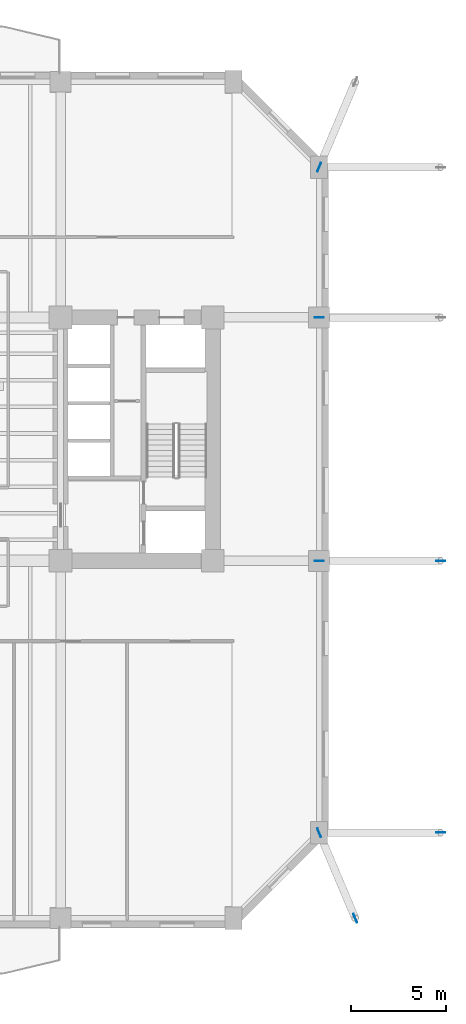
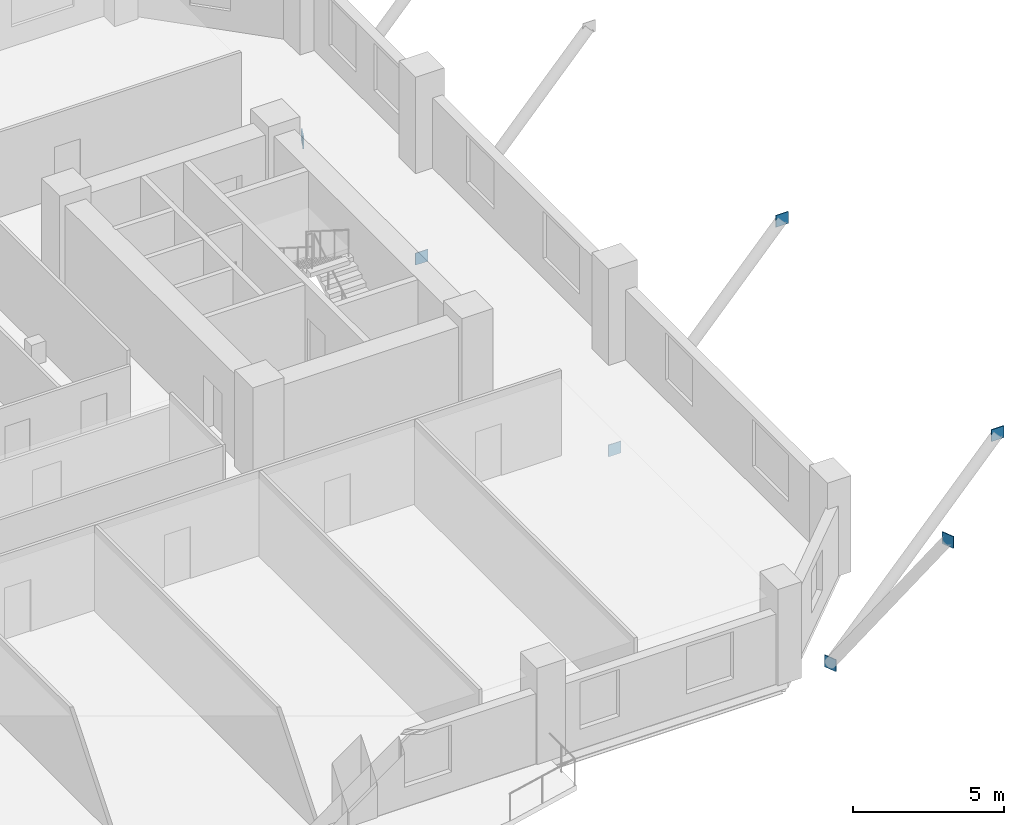
# One storey, part 3 of 13: 7 plates.
"""IFC4 building model written with IfcOpenShell, lengths in metres."""

from ifc_helpers import new_model, si_unit, direction, frame, origin, origin_2d, place, context, subcontext, project, spatial, rectangle, extrude, material, layer, layer_set, type_object, element, save


model = new_model("IFC4")

# Units and contexts
model_context = context("Model", 3, precision=1e-05, world=origin(), true_north=direction((0.0, 1.0)))
body_context = subcontext(model_context, "Body", "Model", "MODEL_VIEW")
ifc_project = project(units=[si_unit("LENGTHUNIT", "METRE"), si_unit("AREAUNIT", "SQUARE_METRE"), si_unit("VOLUMEUNIT", "CUBIC_METRE"), si_unit("PLANEANGLEUNIT", "RADIAN"), si_unit("MASSUNIT", "GRAM", prefix="KILO")], contexts=[model_context])

# Site, building, storey
site_placement = place(None, origin())
site = spatial("IfcSite", under=ifc_project, at=site_placement, CompositionType="ELEMENT")
building_placement = place(site_placement, origin())
building = spatial("IfcBuilding", under=site, at=building_placement, Name="Kranthara Brick Stack", CompositionType="ELEMENT")
storey_placement = place(building_placement, frame((0.0, 0.0, 43.800048828125)))
storey = spatial("IfcBuildingStorey", under=building, at=storey_placement, Name="L10", CompositionType="ELEMENT", Elevation=43.800048828125)

# Plates
ifc_material = material(Name="Steel S355", Category="steel")
ifc_layer = layer(ifc_material, 0.030029296875)
ifc_layer_set = layer_set([ifc_layer], Name="Steel S355")
plate_type = type_object("IfcPlateType", Name="PLT-GUSSET-30", PredefinedType="USERDEFINED", material=ifc_layer_set)
for number, where, z_axis, x_axis, name in (
    (1, (48.800048828125, 6.5, -4.14013671875), (0.0, 0.0, 1.0), (-0.38912395014, 0.921185405566, 0.0), "L10 Brace and Strut End Connection Gusset Plate 013"),
    (2, (50.699951171875, 2.0, 2.909912109375), (0.0, 0.0, 1.0), (-0.38912395014, 0.921185405566, 0.0), "L10 Brace and Strut End Connection Gusset Plate 014"),
    (3, (48.800048828125, 41.5, -4.14013671875), (0.0, 0.0, 1.0), (0.38912395014, 0.921185405566, 0.0), "L10 Brace and Strut End Connection Gusset Plate 015"),
    (4, (55.199951171875, 6.5, 2.909912109375), (0.0, 0.0, 1.0), (1.0, 0.0, 0.0), "L10 Brace and Strut End Connection Gusset Plate 017"),
    (5, (48.800048828125, 20.800048828125, -4.14013671875), (0.0, 0.0, 1.0), (1.0, 0.0, 0.0), "L10 Brace and Strut End Connection Gusset Plate 018"),
    (6, (55.199951171875, 20.800048828125, 2.909912109375), (0.0, 0.0, 1.0), (1.0, 0.0, 0.0), "L10 Brace and Strut End Connection Gusset Plate 019"),
    (7, (48.800048828125, 33.60009765625, -4.14013671875), (0.0, 0.0, 1.0), (1.0, 0.0, 0.0), "L10 Brace and Strut End Connection Gusset Plate 020"),
):
    element("IfcPlate", number, at=place(storey_placement, frame(where, z_axis=z_axis, x_axis=x_axis)), inside=storey, type_object=plate_type, Name=name, ObjectType="GUSSET PLATE", PredefinedType="USERDEFINED", context=body_context, shape_type="SweptSolid", body=[
        extrude(rectangle(XDim=0.47998046875, YDim=0.030029296875, at=origin_2d()), origin(), (0.0, 0.0, 1.0), 0.47998046875),
    ])

save(model, "model.ifc")
